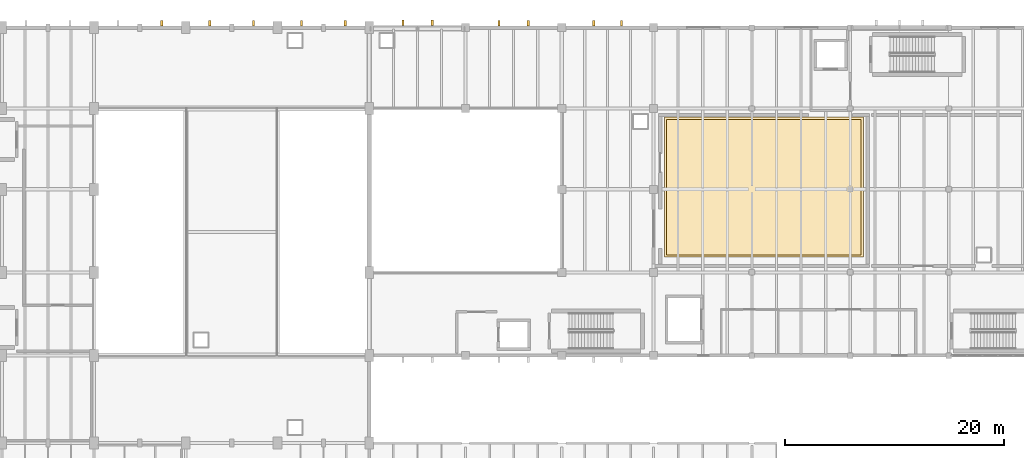
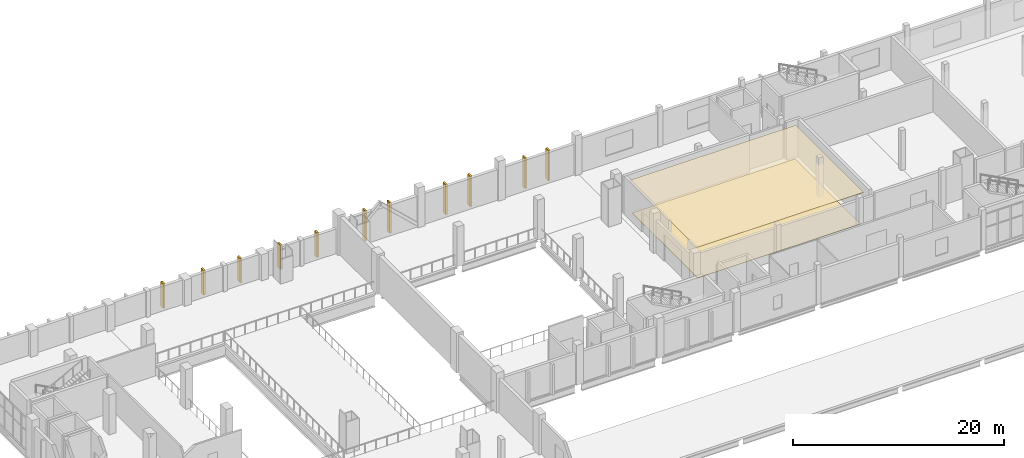
# One storey, part 71 of 74: 11 shading devices, 2 coverings.
"""IFC4 building model written with IfcOpenShell, lengths in metres."""

from ifc_helpers import new_model, si_unit, direction, frame, origin, origin_2d, place, context, subcontext, project, spatial, polyline, rectangle, outline, extrude, material, layer, layer_set, type_object, element, save


model = new_model("IFC4")

# Units and contexts
model_context = context("Model", 3, precision=1e-05, world=origin(), true_north=direction((0.0, 1.0)))
body_context = subcontext(model_context, "Body", "Model", "MODEL_VIEW")
ifc_project = project(units=[si_unit("LENGTHUNIT", "METRE"), si_unit("AREAUNIT", "SQUARE_METRE"), si_unit("VOLUMEUNIT", "CUBIC_METRE"), si_unit("PLANEANGLEUNIT", "RADIAN"), si_unit("MASSUNIT", "GRAM", prefix="KILO")], contexts=[model_context])

# Site, building, storey
site_placement = place(None, origin())
site = spatial("IfcSite", under=ifc_project, at=site_placement, CompositionType="ELEMENT")
building_placement = place(site_placement, origin())
building = spatial("IfcBuilding", under=site, at=building_placement, Name="Shengluoqiao Park Theatre", CompositionType="ELEMENT")
storey_placement = place(building_placement, frame((0.0, 0.0, 14.60009765625)))
storey = spatial("IfcBuildingStorey", under=building, at=storey_placement, Name="L03", CompositionType="ELEMENT", Elevation=14.60009765625)

# Shading devices
ifc_material_1 = material(Name="Concrete C45", Category="concrete")
ifc_layer_1 = layer(ifc_material_1, 0.199951171875, Name="Concrete C45")
ifc_layer_set_1 = layer_set([ifc_layer_1], Name="Concrete C45")
shading_device_type = type_object("IfcShadingDeviceType", Name="ENV-FIN-520x200", PredefinedType="USERDEFINED", material=ifc_layer_set_1)
for number, where, z_axis, x_axis, name in (
    (1, (67.39990234375, 114.409912109375, 0.019775390625), (0.0, 0.0, 1.0), (0.0, 1.0, 0.0), "L03 Vertical Concrete Acoustic Rib 0050"),
    (2, (71.800048828125, 114.409912109375, 0.019775390625), (0.0, 0.0, 1.0), (0.0, 1.0, 0.0), "L03 Vertical Concrete Acoustic Rib 0051"),
    (3, (75.800048828125, 114.409912109375, 0.019775390625), (0.0, 0.0, 1.0), (0.0, 1.0, 0.0), "L03 Vertical Concrete Acoustic Rib 0052"),
    (4, (80.199951171875, 114.409912109375, 0.019775390625), (0.0, 0.0, 1.0), (0.0, 1.0, 0.0), "L03 Vertical Concrete Acoustic Rib 0053"),
    (5, (84.199951171875, 114.409912109375, 0.019775390625), (0.0, 0.0, 1.0), (0.0, 1.0, 0.0), "L03 Vertical Concrete Acoustic Rib 0054"),
):
    element("IfcShadingDevice", number, at=place(storey_placement, frame(where, z_axis=z_axis, x_axis=x_axis)), inside=storey, type_object=shading_device_type, Name=name, ObjectType="FIN", PredefinedType="USERDEFINED", context=body_context, shape_type="SweptSolid", body=[
        extrude(rectangle(XDim=0.52001953125, YDim=0.199951171875, at=origin_2d()), origin(), (0.0, 0.0, 1.0), 2.80810546875),
    ])
for number, where, z_axis, x_axis, name in (
    (6, (89.476318359375, 114.43505859375, 0.019775390625), (0.0, 0.0, 1.0), (0.0, 1.0, 0.0), "L03 Vertical Concrete Acoustic Rib 0084"),
    (7, (92.148681640625, 114.43505859375, 0.019775390625), (0.0, 0.0, 1.0), (0.0, 1.0, 0.0), "L03 Vertical Concrete Acoustic Rib 0085"),
    (8, (98.259765625, 114.409912109375, 0.019775390625), (0.0, 0.0, 1.0), (0.0, 1.0, 0.0), "L03 Vertical Concrete Acoustic Rib 0086"),
    (9, (100.940185546875, 114.409912109375, 0.019775390625), (0.0, 0.0, 1.0), (0.0, 1.0, 0.0), "L03 Vertical Concrete Acoustic Rib 0087"),
    (10, (106.92626953125, 114.409912109375, 0.019775390625), (0.0, 0.0, 1.0), (0.0, 1.0, 0.0), "L03 Vertical Concrete Acoustic Rib 0088"),
    (11, (109.4736328125, 114.409912109375, 0.019775390625), (0.0, 0.0, 1.0), (0.0, 1.0, 0.0), "L03 Vertical Concrete Acoustic Rib 0089"),
):
    element("IfcShadingDevice", number, at=place(storey_placement, frame(where, z_axis=z_axis, x_axis=x_axis)), inside=storey, type_object=shading_device_type, Name=name, ObjectType="FIN", PredefinedType="USERDEFINED", context=body_context, shape_type="SweptSolid", body=[
        extrude(rectangle(XDim=0.52001953125, YDim=0.199951171875, at=origin_2d()), origin(), (0.0, 0.0, 1.0), 3.498046875),
    ])

# Coverings
ifc_material_2 = material(Name="Gypsum acoustic reflector", Category="gypsum")
ifc_layer_2 = layer(ifc_material_2, 0.054931640625, Name="Gypsum acoustic reflector")
ifc_layer_set_2 = layer_set([ifc_layer_2], Name="Gypsum acoustic reflector")
covering_type_1 = type_object("IfcCoveringType", Name="INT-COV-CLG1", PredefinedType="CEILING", material=ifc_layer_set_2)
covering_1_placement = place(storey_placement, frame((0.0, 0.0, 3.704833984375)))
element("IfcCovering", 12, at=covering_1_placement, inside=storey, type_object=covering_type_1, Name="Full-Stage Rehearsal Acoustic Canopy", PredefinedType="CEILING", context=body_context, shape_type="SweptSolid", body=[
    extrude(outline(polyline([(113.39990234375, 93.0), (131.60009765625, 93.0), (131.60009765625, 105.800048828125), (113.39990234375, 105.800048828125), (113.39990234375, 93.0)])), origin(), (0.0, 0.0, 1.0), 0.05517578125),
])
ifc_material_3 = material(Name="Sprung Oregon pine stage timber", Category="wood")
ifc_layer_3 = layer(ifc_material_3, 0.048095703125, Name="Sprung Oregon pine stage timber")
ifc_layer_set_3 = layer_set([ifc_layer_3], Name="Sprung Oregon pine stage timber")
covering_type_2 = type_object("IfcCoveringType", Name="INT-COV-FLR1", PredefinedType="FLOORING", material=ifc_layer_set_3)
covering_2_placement = place(storey_placement, origin())
element("IfcCovering", 13, at=covering_2_placement, inside=storey, type_object=covering_type_2, Name="Full-Stage Rehearsal Sprung Stage Floor", PredefinedType="FLOORING", context=body_context, shape_type="SweptSolid", body=[
    extrude(outline(polyline([(113.60009765625, 93.199951171875), (131.39990234375, 93.199951171875), (131.39990234375, 105.60009765625), (113.60009765625, 105.60009765625), (113.60009765625, 93.199951171875)])), origin(), (0.0, 0.0, 1.0), 0.0478515625),
])

save(model, "model.ifc")
